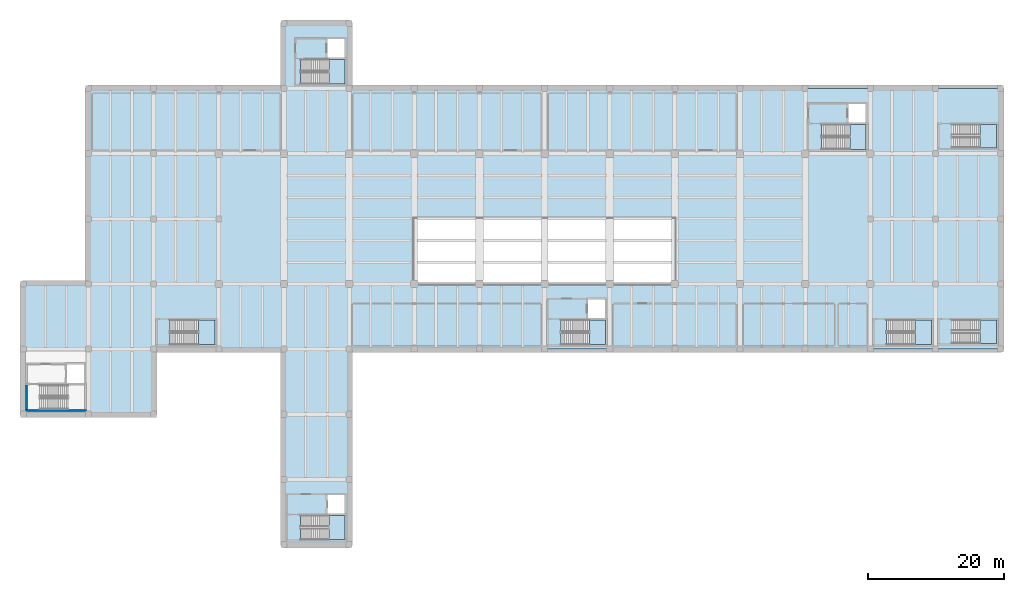
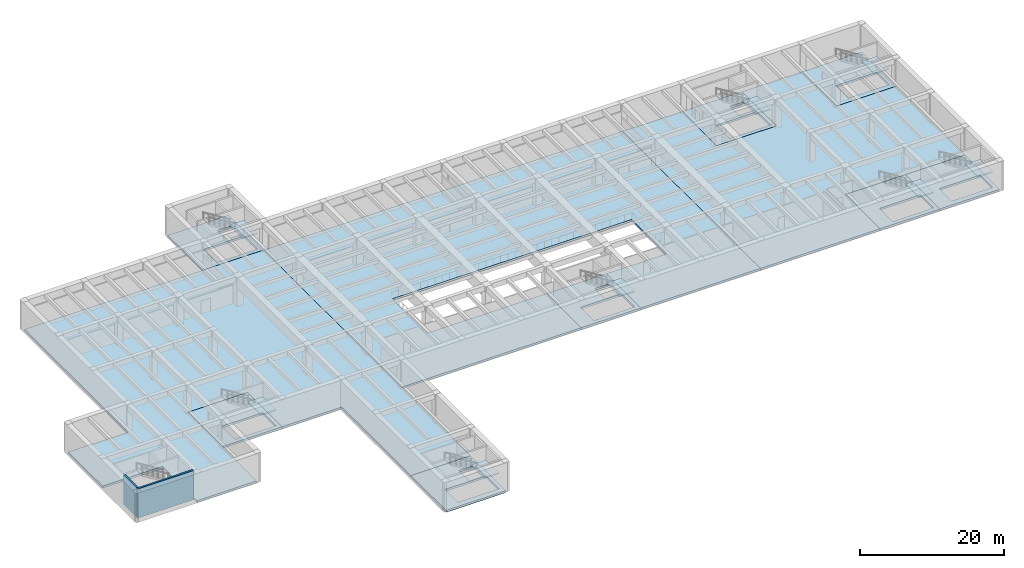
# One storey, part 3 of 19: 19 slabs, 2 walls, 8 elements without a shape of their own.
"""IFC4 building model written with IfcOpenShell, lengths in metres."""

from ifc_helpers import new_model, si_unit, direction, frame, frame_2d, origin, place, context, subcontext, project, spatial, polyline, rectangle, outline, extrude, material, layer, layer_set, type_object, element, aggregate, save


model = new_model("IFC4")

# Units and contexts
model_context = context("Model", 3, precision=1e-05, world=origin(), true_north=direction((0.0, 1.0)))
body_context = subcontext(model_context, "Body", "Model", "MODEL_VIEW")
ifc_project = project(units=[si_unit("LENGTHUNIT", "METRE"), si_unit("AREAUNIT", "SQUARE_METRE"), si_unit("VOLUMEUNIT", "CUBIC_METRE"), si_unit("PLANEANGLEUNIT", "RADIAN"), si_unit("MASSUNIT", "GRAM", prefix="KILO")], contexts=[model_context])

# Site, building, storey
site_placement = place(None, origin())
site = spatial("IfcSite", under=ifc_project, at=site_placement, CompositionType="ELEMENT")
building_placement = place(site_placement, origin())
building = spatial("IfcBuilding", under=site, at=building_placement, Name="Coralgate Yard Interchange", CompositionType="ELEMENT")
storey_placement = place(building_placement, frame((0.0, 0.0, -5.39990234375)))
storey = spatial("IfcBuildingStorey", under=building, at=storey_placement, Name="B1", CompositionType="ELEMENT", Elevation=-5.39990234375)

# Stair, slab
ifc_material_1 = material(Name="Concrete C40/50", Category="concrete")
stair_type_1 = type_object("IfcStairType", Name="STR-DL-158-54", PredefinedType="HALF_TURN_STAIR", material=ifc_material_1)
stair_1_placement = place(storey_placement, origin())
stair_1 = element("IfcStair", 1, at=stair_1_placement, inside=storey, type_object=stair_type_1, Name="B1 Escape stair ST-10", PredefinedType="HALF_TURN_STAIR")
ifc_layer_1 = layer(ifc_material_1, 0.199951171875)
ifc_layer_set_1 = layer_set([ifc_layer_1], Name="Concrete C40/50")
slab_type_1 = type_object("IfcSlabType", Name="SLB-LND200", PredefinedType="LANDING", material=ifc_layer_set_1)
slab_1_placement = place(storey_placement, frame((0.0, 0.0, 2.5)))
slab_1 = element("IfcSlab", 2, at=slab_1_placement, type_object=slab_type_1, Name="ST-10 landing 1", PredefinedType="LANDING", context=body_context, shape_type="SweptSolid", body=[
    extrude(outline(polyline([(150.60009765625, 39.260009765625), (153.0, 39.260009765625), (153.0, 42.7099609375), (150.60009765625, 42.7099609375), (150.60009765625, 39.260009765625)])), origin(), (0.0, 0.0, 1.0), 0.199951171875),
])
aggregate(stair_1, [slab_1])

stair_2_placement = place(storey_placement, origin())
stair_2 = element("IfcStair", 3, at=stair_2_placement, inside=storey, type_object=stair_type_1, Name="B1 Escape stair ST-11", PredefinedType="HALF_TURN_STAIR")
slab_2_placement = place(storey_placement, frame((0.0, 0.0, 2.5)))
slab_2 = element("IfcSlab", 4, at=slab_2_placement, type_object=slab_type_1, Name="ST-11 landing 1", PredefinedType="LANDING", context=body_context, shape_type="SweptSolid", body=[
    extrude(outline(polyline([(150.60009765625, 68.06005859375), (153.0, 68.06005859375), (153.0, 71.510009765625), (150.60009765625, 71.510009765625), (150.60009765625, 68.06005859375)])), origin(), (0.0, 0.0, 1.0), 0.199951171875),
])
aggregate(stair_2, [slab_2])

stair_type_2 = type_object("IfcStairType", Name="STR-DL-175-54", PredefinedType="HALF_TURN_STAIR", material=ifc_material_1)
stair_3_placement = place(storey_placement, origin())
stair_3 = element("IfcStair", 5, at=stair_3_placement, inside=storey, type_object=stair_type_2, Name="B1 Escape stair ST-12", PredefinedType="HALF_TURN_STAIR")
slab_3_placement = place(storey_placement, frame((0.0, 0.0, 2.5)))
slab_3 = element("IfcSlab", 6, at=slab_3_placement, type_object=slab_type_1, Name="ST-12 landing 1", PredefinedType="LANDING", context=body_context, shape_type="SweptSolid", body=[
    extrude(outline(polyline([(35.39990234375, 39.050048828125), (37.800048828125, 39.050048828125), (37.800048828125, 42.7099609375), (35.39990234375, 42.7099609375), (35.39990234375, 39.050048828125)])), origin(), (0.0, 0.0, 1.0), 0.199951171875),
])
aggregate(stair_3, [slab_3])

stair_4_placement = place(storey_placement, origin())
stair_4 = element("IfcStair", 7, at=stair_4_placement, inside=storey, type_object=stair_type_2, Name="B1 Escape stair ST-13", PredefinedType="HALF_TURN_STAIR")
slab_4_placement = place(storey_placement, frame((0.0, 0.0, 2.5)))
slab_4 = element("IfcSlab", 8, at=slab_4_placement, type_object=slab_type_1, Name="ST-13 landing 1", PredefinedType="LANDING", context=body_context, shape_type="SweptSolid", body=[
    extrude(outline(polyline([(141.0, 39.050048828125), (143.39990234375, 39.050048828125), (143.39990234375, 42.7099609375), (141.0, 42.7099609375), (141.0, 39.050048828125)])), origin(), (0.0, 0.0, 1.0), 0.199951171875),
])
aggregate(stair_4, [slab_4])

stair_type_3 = type_object("IfcStairType", Name="STR-DL-165-54", PredefinedType="HALF_TURN_STAIR", material=ifc_material_1)
stair_5_placement = place(storey_placement, origin())
stair_5 = element("IfcStair", 9, at=stair_5_placement, inside=storey, type_object=stair_type_3, Name="B1 Escape stair ST-02", PredefinedType="HALF_TURN_STAIR")
slab_5_placement = place(storey_placement, frame((0.0, 0.0, 2.5)))
slab_5 = element("IfcSlab", 10, at=slab_5_placement, type_object=slab_type_1, Name="ST-02 landing 1", PredefinedType="LANDING", context=body_context, shape_type="SweptSolid", body=[
    extrude(outline(polyline([(54.60009765625, 10.320068359375), (57.0, 10.320068359375), (57.0, 13.909912109375), (54.60009765625, 13.909912109375), (54.60009765625, 10.320068359375)])), origin(), (0.0, 0.0, 1.0), 0.199951171875),
])
aggregate(stair_5, [slab_5])

stair_6_placement = place(storey_placement, origin())
stair_6 = element("IfcStair", 11, at=stair_6_placement, inside=storey, type_object=stair_type_2, Name="B1 Escape stair ST-05", PredefinedType="HALF_TURN_STAIR")
slab_6_placement = place(storey_placement, frame((0.0, 0.0, 2.5)))
slab_6 = element("IfcSlab", 12, at=slab_6_placement, type_object=slab_type_1, Name="ST-05 landing 1", PredefinedType="LANDING", context=body_context, shape_type="SweptSolid", body=[
    extrude(outline(polyline([(54.60009765625, 77.449951171875), (57.0, 77.449951171875), (57.0, 81.110107421875), (54.60009765625, 81.110107421875), (54.60009765625, 77.449951171875)])), origin(), (0.0, 0.0, 1.0), 0.199951171875),
])
aggregate(stair_6, [slab_6])

stair_7_placement = place(storey_placement, origin())
stair_7 = element("IfcStair", 13, at=stair_7_placement, inside=storey, type_object=stair_type_2, Name="B1 Escape stair ST-06", PredefinedType="HALF_TURN_STAIR")
slab_7_placement = place(storey_placement, frame((0.0, 0.0, 2.5)))
slab_7 = element("IfcSlab", 14, at=slab_7_placement, type_object=slab_type_1, Name="ST-06 landing 1", PredefinedType="LANDING", context=body_context, shape_type="SweptSolid", body=[
    extrude(outline(polyline([(93.0, 39.050048828125), (95.39990234375, 39.050048828125), (95.39990234375, 42.7099609375), (93.0, 42.7099609375), (93.0, 39.050048828125)])), origin(), (0.0, 0.0, 1.0), 0.199951171875),
])
aggregate(stair_7, [slab_7])

stair_8_placement = place(storey_placement, origin())
stair_8 = element("IfcStair", 15, at=stair_8_placement, inside=storey, type_object=stair_type_2, Name="B1 Escape stair ST-07", PredefinedType="HALF_TURN_STAIR")
slab_8_placement = place(storey_placement, frame((0.0, 0.0, 2.5)))
slab_8 = element("IfcSlab", 16, at=slab_8_placement, type_object=slab_type_1, Name="ST-07 landing 1", PredefinedType="LANDING", context=body_context, shape_type="SweptSolid", body=[
    extrude(outline(polyline([(131.39990234375, 67.85009765625), (133.800048828125, 67.85009765625), (133.800048828125, 71.510009765625), (131.39990234375, 71.510009765625), (131.39990234375, 67.85009765625)])), origin(), (0.0, 0.0, 1.0), 0.199951171875),
])
aggregate(stair_8, [slab_8])

# Slabs
ifc_layer_2 = layer(ifc_material_1, 0.35009765625)
ifc_layer_set_2 = layer_set([ifc_layer_2], Name="Concrete C40/50")
slab_type_2 = type_object("IfcSlabType", Name="SLB-SL-B1-350", PredefinedType="FLOOR", material=ifc_layer_set_2)
slab_9_placement = place(storey_placement, frame((0.0, 0.0, -0.35009765625)))
element("IfcSlab", 17, at=slab_9_placement, inside=storey, type_object=slab_type_2, Name="B1 core C12 structural floor slab", PredefinedType="FLOOR", context=body_context, shape_type="SweptSolid", body=[
    extrude(outline(polyline([(28.800048828125, 48.0), (38.39990234375, 48.0), (38.39990234375, 38.39990234375), (28.800048828125, 38.39990234375), (28.800048828125, 48.0)]), holes=[polyline([(37.800048828125, 39.050048828125), (37.800048828125, 42.7099609375), (31.219970703125, 42.7099609375), (31.219970703125, 39.050048828125), (37.800048828125, 39.050048828125)])]), origin(), (0.0, 0.0, 1.0), 0.35009765625),
])
slab_10_placement = place(storey_placement, frame((0.0, 0.0, -0.35009765625)))
element("IfcSlab", 18, at=slab_10_placement, inside=storey, type_object=slab_type_2, Name="B1 core C2 structural floor slab", PredefinedType="FLOOR", context=body_context, shape_type="SweptSolid", body=[
    extrude(outline(polyline([(48.0, 9.60009765625), (48.0, 19.199951171875), (57.60009765625, 19.199951171875), (57.60009765625, 9.60009765625), (57.60009765625, 9.43994140625), (48.0, 9.43994140625), (48.0, 9.60009765625)]), holes=[polyline([(57.0, 13.909912109375), (50.419921875, 13.909912109375), (50.419921875, 10.320068359375), (57.0, 10.320068359375), (57.0, 13.909912109375)]), polyline([(56.89990234375, 14.050048828125), (56.89990234375, 16.89990234375), (54.39990234375, 16.89990234375), (54.39990234375, 14.050048828125), (56.89990234375, 14.050048828125)])]), origin(), (0.0, 0.0, 1.0), 0.35009765625),
])
slab_11_placement = place(storey_placement, frame((0.0, 0.0, -0.35009765625)))
element("IfcSlab", 19, at=slab_11_placement, inside=storey, type_object=slab_type_2, Name="B1 core C5 structural floor slab", PredefinedType="FLOOR", context=body_context, shape_type="SweptSolid", body=[
    extrude(outline(polyline([(47.840087890625, 86.56005859375), (57.60009765625, 86.56005859375), (57.60009765625, 86.39990234375), (57.60009765625, 76.800048828125), (48.0, 76.800048828125), (47.840087890625, 76.800048828125), (47.840087890625, 86.56005859375)]), holes=[polyline([(57.0, 81.110107421875), (50.419921875, 81.110107421875), (50.419921875, 77.449951171875), (57.0, 77.449951171875), (57.0, 81.110107421875)]), polyline([(56.89990234375, 81.25), (56.89990234375, 84.10009765625), (54.39990234375, 84.10009765625), (54.39990234375, 81.25), (56.89990234375, 81.25)])]), origin(), (0.0, 0.0, 1.0), 0.35009765625),
])
slab_12_placement = place(storey_placement, frame((0.0, 0.0, -0.35009765625)))
element("IfcSlab", 20, at=slab_12_placement, inside=storey, type_object=slab_type_2, Name="B1 core C6 structural floor slab", PredefinedType="FLOOR", context=body_context, shape_type="SweptSolid", body=[
    extrude(outline(polyline([(96.0, 48.0), (96.0, 38.39990234375), (86.39990234375, 38.39990234375), (86.39990234375, 48.0), (96.0, 48.0)]), holes=[polyline([(95.39990234375, 42.7099609375), (88.820068359375, 42.7099609375), (88.820068359375, 39.050048828125), (95.39990234375, 39.050048828125), (95.39990234375, 42.7099609375)]), polyline([(95.300048828125, 42.85009765625), (95.300048828125, 45.699951171875), (92.800048828125, 45.699951171875), (92.800048828125, 42.85009765625), (95.300048828125, 42.85009765625)])]), origin(), (0.0, 0.0, 1.0), 0.35009765625),
])
slab_13_placement = place(storey_placement, frame((0.0, 0.0, -0.35009765625)))
element("IfcSlab", 21, at=slab_13_placement, inside=storey, type_object=slab_type_2, Name="B1 core C7 structural floor slab", PredefinedType="FLOOR", context=body_context, shape_type="SweptSolid", body=[
    extrude(outline(polyline([(134.39990234375, 76.800048828125), (134.39990234375, 67.199951171875), (124.800048828125, 67.199951171875), (124.800048828125, 76.800048828125), (134.39990234375, 76.800048828125)]), holes=[polyline([(133.800048828125, 71.510009765625), (127.219970703125, 71.510009765625), (127.219970703125, 67.85009765625), (133.800048828125, 67.85009765625), (133.800048828125, 71.510009765625)]), polyline([(133.699951171875, 71.64990234375), (133.699951171875, 74.5), (131.199951171875, 74.5), (131.199951171875, 71.64990234375), (133.699951171875, 71.64990234375)])]), origin(), (0.0, 0.0, 1.0), 0.35009765625),
])
slab_14_placement = place(storey_placement, frame((0.0, 0.0, -0.35009765625)))
element("IfcSlab", 22, at=slab_14_placement, inside=storey, type_object=slab_type_2, Name="B1 core C13 structural floor slab", PredefinedType="FLOOR", context=body_context, shape_type="SweptSolid", body=[
    extrude(outline(polyline([(134.39990234375, 48.0), (144.0, 48.0), (144.0, 38.39990234375), (134.39990234375, 38.39990234375), (134.39990234375, 48.0)]), holes=[polyline([(143.39990234375, 39.050048828125), (143.39990234375, 42.7099609375), (136.820068359375, 42.7099609375), (136.820068359375, 39.050048828125), (143.39990234375, 39.050048828125)])]), origin(), (0.0, 0.0, 1.0), 0.35009765625),
])
slab_15_placement = place(storey_placement, frame((0.0, 0.0, -0.35009765625)))
element("IfcSlab", 23, at=slab_15_placement, inside=storey, type_object=slab_type_2, Name="B1 core C10 structural floor slab", PredefinedType="FLOOR", context=body_context, shape_type="SweptSolid", body=[
    extrude(outline(polyline([(144.0, 48.0), (153.60009765625, 48.0), (153.60009765625, 38.39990234375), (144.0, 38.39990234375), (144.0, 48.0)]), holes=[polyline([(153.0, 39.260009765625), (153.0, 42.7099609375), (146.419921875, 42.7099609375), (146.419921875, 39.260009765625), (153.0, 39.260009765625)])]), origin(), (0.0, 0.0, 1.0), 0.35009765625),
])
slab_16_placement = place(storey_placement, frame((0.0, 0.0, -0.35009765625)))
element("IfcSlab", 24, at=slab_16_placement, inside=storey, type_object=slab_type_2, Name="B1 core C11 structural floor slab", PredefinedType="FLOOR", context=body_context, shape_type="SweptSolid", body=[
    extrude(outline(polyline([(144.0, 76.800048828125), (153.60009765625, 76.800048828125), (153.60009765625, 67.199951171875), (144.0, 67.199951171875), (144.0, 76.800048828125)]), holes=[polyline([(153.0, 68.06005859375), (153.0, 71.510009765625), (146.419921875, 71.510009765625), (146.419921875, 68.06005859375), (153.0, 68.06005859375)])]), origin(), (0.0, 0.0, 1.0), 0.35009765625),
])
slab_17_placement = place(storey_placement, frame((0.0, 0.0, -0.35009765625)))
element("IfcSlab", 25, at=slab_17_placement, inside=storey, type_object=slab_type_2, Name="B1 west metro concourse slab", PredefinedType="FLOOR", context=body_context, shape_type="SweptSolid", body=[
    extrude(outline(polyline([(19.199951171875, 38.39990234375), (9.60009765625, 38.39990234375), (9.60009765625, 48.0), (19.199951171875, 48.0), (19.199951171875, 57.60009765625), (19.199951171875, 67.199951171875), (19.199951171875, 76.800048828125), (28.800048828125, 76.800048828125), (38.39990234375, 76.800048828125), (48.0, 76.800048828125), (57.60009765625, 76.800048828125), (57.60009765625, 67.199951171875), (57.60009765625, 57.60009765625), (57.60009765625, 48.0), (57.60009765625, 38.39990234375), (57.60009765625, 28.800048828125), (57.60009765625, 19.199951171875), (48.0, 19.199951171875), (48.0, 28.800048828125), (48.0, 38.39990234375), (38.39990234375, 38.39990234375), (38.39990234375, 48.0), (28.800048828125, 48.0), (28.800048828125, 38.39990234375), (28.800048828125, 28.800048828125), (19.199951171875, 28.800048828125), (19.199951171875, 38.39990234375)])), origin(), (0.0, 0.0, 1.0), 0.35009765625),
])
slab_18_placement = place(storey_placement, frame((0.0, 0.0, -0.35009765625)))
element("IfcSlab", 26, at=slab_18_placement, inside=storey, type_object=slab_type_2, Name="B1 east metro concourse & plant slab", PredefinedType="FLOOR", context=body_context, shape_type="SweptSolid", body=[
    extrude(outline(polyline([(115.199951171875, 57.60009765625), (115.199951171875, 67.199951171875), (115.199951171875, 76.800048828125), (124.800048828125, 76.800048828125), (124.800048828125, 67.199951171875), (134.39990234375, 67.199951171875), (134.39990234375, 76.800048828125), (144.0, 76.800048828125), (144.0, 67.199951171875), (153.60009765625, 67.199951171875), (153.60009765625, 57.60009765625), (153.60009765625, 48.0), (144.0, 48.0), (134.39990234375, 48.0), (134.39990234375, 38.39990234375), (124.800048828125, 38.39990234375), (115.199951171875, 38.39990234375), (115.199951171875, 48.0), (115.199951171875, 57.60009765625)])), origin(), (0.0, 0.0, 1.0), 0.35009765625),
])
ifc_material_2 = material(Name="Precast concrete C40/50", Category="concrete")
ifc_layer_3 = layer(ifc_material_2, 0.320068359375)
ifc_layer_set_3 = layer_set([ifc_layer_3], Name="Precast concrete C40/50")
slab_type_3 = type_object("IfcSlabType", Name="SLB-SL-PLAT320", PredefinedType="FLOOR", material=ifc_layer_set_3)
slab_19_placement = place(storey_placement, frame((0.0, 0.0, -0.320068359375)))
element("IfcSlab", 27, at=slab_19_placement, inside=storey, type_object=slab_type_3, Name="B1 central gateline perforated slab", PredefinedType="FLOOR", context=body_context, shape_type="SweptSolid", body=[
    extrude(outline(polyline([(57.60009765625, 67.199951171875), (57.60009765625, 76.800048828125), (67.199951171875, 76.800048828125), (76.800048828125, 76.800048828125), (86.39990234375, 76.800048828125), (96.0, 76.800048828125), (105.60009765625, 76.800048828125), (115.199951171875, 76.800048828125), (115.199951171875, 67.199951171875), (115.199951171875, 57.60009765625), (115.199951171875, 48.0), (115.199951171875, 38.39990234375), (105.60009765625, 38.39990234375), (96.0, 38.39990234375), (96.0, 48.0), (105.60009765625, 48.0), (105.60009765625, 57.60009765625), (96.0, 57.60009765625), (86.39990234375, 57.60009765625), (76.800048828125, 57.60009765625), (67.199951171875, 57.60009765625), (67.199951171875, 48.0), (76.800048828125, 48.0), (86.39990234375, 48.0), (86.39990234375, 38.39990234375), (76.800048828125, 38.39990234375), (67.199951171875, 38.39990234375), (57.60009765625, 38.39990234375), (57.60009765625, 48.0), (57.60009765625, 57.60009765625), (57.60009765625, 67.199951171875)])), origin(), (0.0, 0.0, 1.0), 0.320068359375),
])

# Walls
ifc_layer_4 = layer(ifc_material_1, 0.300048828125)
ifc_layer_set_4 = layer_set([ifc_layer_4], Name="Concrete C40/50")
wall_type = type_object("IfcWallType", Name="WAL-CW300", PredefinedType="SHEAR", material=ifc_layer_set_4)
wall_1_placement = place(storey_placement, frame((9.89990234375, 29.3701171875, 0.0), z_axis=(0.0, 0.0, 1.0), x_axis=(1.0, 0.0, 0.0)))
element("IfcWall", 28, at=wall_1_placement, inside=storey, type_object=wall_type, Name="C1 B1 stair south shear wall", PredefinedType="SHEAR", context=body_context, shape_type="SweptSolid", body=[
    extrude(rectangle(XDim=9.0, YDim=0.300048828125, at=frame_2d((4.5, 0.0))), origin(), (0.0, 0.0, 1.0), 5.0),
])
wall_2_placement = place(storey_placement, frame((10.050048828125, 29.52001953125, 0.0), z_axis=(0.0, 0.0, 1.0), x_axis=(0.0, 1.0, 0.0)))
element("IfcWall", 29, at=wall_2_placement, inside=storey, type_object=wall_type, Name="C1 B1 stair west shear wall", PredefinedType="SHEAR", context=body_context, shape_type="SweptSolid", body=[
    extrude(rectangle(XDim=3.580078125, YDim=0.300048828125, at=frame_2d((1.7900390625, 0.0))), origin(), (0.0, 0.0, 1.0), 5.0),
])

save(model, "model.ifc")
